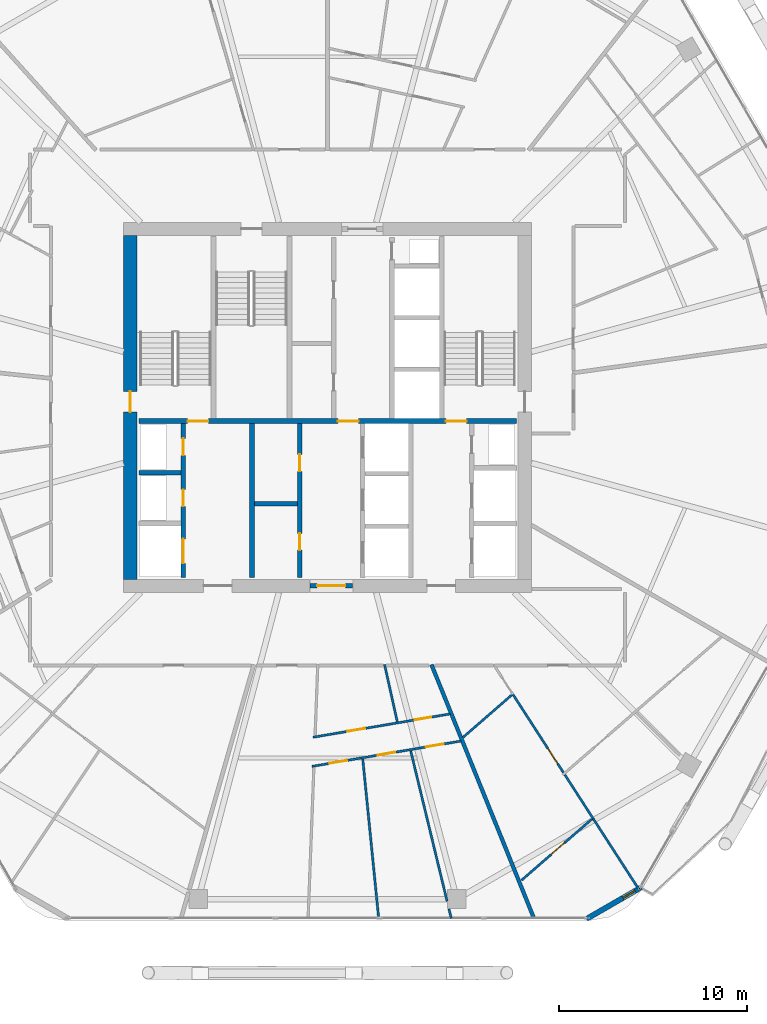
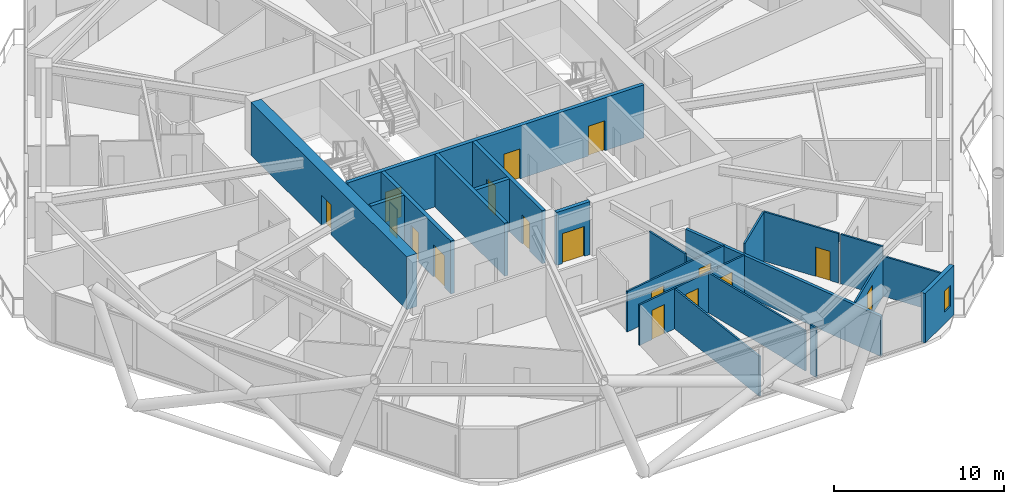
# One storey, part 21 of 28: 21 walls, 17 doors, 1 window, 18 openings.
"""IFC4 building model written with IfcOpenShell, lengths in metres."""

from ifc_helpers import new_model, si_unit, direction, frame, frame_2d, origin, place, context, subcontext, project, spatial, rectangle, extrude, material, layer, layer_set, type_object, element, fill, save


model = new_model("IFC4")

# Units and contexts
model_context = context("Model", 3, precision=1e-05, world=origin(), true_north=direction((0.0, 1.0)))
body_context = subcontext(model_context, "Body", "Model", "MODEL_VIEW")
ifc_project = project(units=[si_unit("LENGTHUNIT", "METRE"), si_unit("AREAUNIT", "SQUARE_METRE"), si_unit("VOLUMEUNIT", "CUBIC_METRE"), si_unit("PLANEANGLEUNIT", "RADIAN"), si_unit("MASSUNIT", "GRAM", prefix="KILO")], contexts=[model_context])

# Site, building, storey
site_placement = place(None, origin())
site = spatial("IfcSite", under=ifc_project, at=site_placement, CompositionType="ELEMENT")
building_placement = place(site_placement, origin())
building = spatial("IfcBuilding", under=site, at=building_placement, Name="Zuhravey Tower", CompositionType="ELEMENT")
storey_placement = place(building_placement, frame((0.0, 0.0, 154.199951171875)))
storey = spatial("IfcBuildingStorey", under=building, at=storey_placement, Name="L38", CompositionType="ELEMENT", Elevation=154.199951171875)

# Wall, opening, door
ifc_material_1 = material(Name="Concrete C60/75", Category="concrete")
ifc_layer_1 = layer(ifc_material_1, 0.699951171875)
ifc_layer_set_1 = layer_set([ifc_layer_1], Name="Concrete C60/75")
wall_type_1 = type_object("IfcWallType", Name="Core Shear Wall 700", PredefinedType="SHEAR", material=ifc_layer_set_1)
wall_1_placement = place(storey_placement, frame((25.5, 22.85009765625, 0.0), z_axis=(0.0, 0.0, 1.0), x_axis=(0.0, 1.0, 0.0)))
wall_1 = element("IfcWall", 1, at=wall_1_placement, inside=storey, type_object=wall_type_1, Name="L38 West Core Shear Wall CW70", PredefinedType="SHEAR", context=body_context, shape_type="SweptSolid", body=[
    extrude(rectangle(XDim=18.2998046875, YDim=0.699951171875, at=frame_2d((9.14990234375, 0.0))), origin(), (0.0, 0.0, 1.0), 3.800048828125),
])
opening_1_placement = place(wall_1_placement, frame((8.89990234375, 0.0, 0.0)))
opening_1 = element("IfcOpeningElement", 2, at=opening_1_placement, cuts=wall_1, Name="Opening STD1", PredefinedType="OPENING", context=body_context, shape_type="SweptSolid", body=[
    extrude(rectangle(XDim=1.10009765625, YDim=2.14990234375, at=frame_2d((0.550048828125, 1.074951171875))), frame((0.0, 0.362060546875, 0.0), z_axis=(0.0, -1.0, 0.0), x_axis=(1.0, 0.0, 0.0)), (0.0, 0.0, 1.0), 0.723876953125),
])
ifc_material_2 = material(Name="Galvanised fire-rated steel leaf", Category="steel")
door_type_1 = type_object("IfcDoorType", Name="Protected Stair Fire Door 1100x2150", OperationType="NOTDEFINED", PredefinedType="USERDEFINED", material=ifc_material_2)
door_1_placement = place(opening_1_placement, frame((1.10009765625, 0.0, 0.0), z_axis=(0.0, 0.0, 1.0), x_axis=(-1.0, 0.0, 0.0)))
door_1 = element("IfcDoor", 3, at=door_1_placement, inside=storey, type_object=door_type_1, Name="L38 Stair ST1 Door", ObjectType="EXITDOOR", OperationType="SINGLE_SWING_RIGHT", OverallHeight=2.14990234375, OverallWidth=1.10009765625, PredefinedType="USERDEFINED", context=body_context, shape_type="SweptSolid", body=[
    extrude(rectangle(XDim=1.10009765625, YDim=2.14990234375, at=frame_2d((0.550048828125, 1.074951171875))), frame((0.0, 0.02490234375, 0.0), z_axis=(0.0, -1.0, 0.0), x_axis=(1.0, 0.0, 0.0)), (0.0, 0.0, 1.0), 0.050048828125),
])
fill(opening_1, door_1)

# Wall, opening, window
ifc_material_3 = material(Name="Precast concrete C40/50", Category="concrete")
ifc_layer_2 = layer(ifc_material_3, 0.280029296875)
ifc_layer_set_2 = layer_set([ifc_layer_2], Name="Precast concrete C40/50")
wall_type_2 = type_object("IfcWallType", Name="Crown Architectural Wall 280", PredefinedType="SOLIDWALL", material=ifc_layer_set_2)
wall_2_placement = place(storey_placement, frame((52.693115234375, 6.451904296875, 0.0), z_axis=(0.0, 0.0, 1.0), x_axis=(-0.866020068361, -0.500009241111, 0.0)))
wall_2 = element("IfcWall", 4, at=wall_2_placement, inside=storey, type_object=wall_type_2, Name="L38 Rounded Corner Closure Wall EW28-02", PredefinedType="SOLIDWALL", context=body_context, shape_type="SweptSolid", body=[
    extrude(rectangle(XDim=3.365234375, YDim=0.280029296875, at=frame_2d((1.6826171875, 0.0))), origin(), (0.0, 0.0, 1.0), 3.550048828125),
])
opening_2_placement = place(wall_2_placement, frame((0.375244140625, 0.0, 0.85009765625)))
opening_2 = element("IfcOpeningElement", 5, at=opening_2_placement, cuts=wall_2, Name="Opening WN5", PredefinedType="OPENING", context=body_context, shape_type="SweptSolid", body=[
    extrude(rectangle(XDim=0.75, YDim=1.5, at=frame_2d((0.375, 0.75))), frame((0.0, 0.152099609375, 0.0), z_axis=(0.0, -1.0, 0.0), x_axis=(1.0, 0.0, 0.0)), (0.0, 0.0, 1.0), 0.303955078125),
])
ifc_material_4 = material(Name="Thermally broken aluminium and triple low-E glass", Category="aluminium")
window_type = type_object("IfcWindowType", Name="Residential Corner Casement Window 750x1500", PartitioningType="SINGLE_PANEL", PredefinedType="WINDOW", material=ifc_material_4)
window_placement = place(opening_2_placement, origin())
window = element("IfcWindow", 6, at=window_placement, inside=storey, type_object=window_type, Name="L38 Corner Casement Window WN5-02.1", OverallHeight=1.5, OverallWidth=0.75, PartitioningType="SINGLE_PANEL", PredefinedType="WINDOW", context=body_context, shape_type="SweptSolid", body=[
    extrude(rectangle(XDim=0.75, YDim=1.5, at=frame_2d((0.375, 0.75))), frame((0.0, 0.030029296875, 0.0), z_axis=(0.0, -1.0, 0.0), x_axis=(1.0, 0.0, 0.0)), (0.0, 0.0, 1.0), 0.06005859375),
])
fill(opening_2, window)

# Wall, opening, door
ifc_material_5 = material(Name="Concrete C50/60", Category="concrete")
ifc_layer_3 = layer(ifc_material_5, 0.25)
ifc_layer_set_3 = layer_set([ifc_layer_3], Name="Concrete C50/60")
wall_type_3 = type_object("IfcWallType", Name="Firefighting Shaft & Stair Wall 250", PredefinedType="SOLIDWALL", material=ifc_layer_set_3)
wall_3_placement = place(storey_placement, frame((35.06005859375, 22.5, 0.0), z_axis=(0.0, 0.0, 1.0), x_axis=(1.0, 0.0, 0.0)))
wall_3 = element("IfcWall", 7, at=wall_3_placement, inside=storey, type_object=wall_type_3, Name="L38 FW25 Shaft Wall 001", PredefinedType="SOLIDWALL", context=body_context, shape_type="SweptSolid", body=[
    extrude(rectangle(XDim=2.280029296875, YDim=0.25, at=frame_2d((1.14013671875, 0.0))), origin(), (0.0, 0.0, 1.0), 3.800048828125),
])
opening_3_placement = place(wall_3_placement, frame((0.389892578125, 0.0, 0.0)))
opening_3 = element("IfcOpeningElement", 8, at=opening_3_placement, cuts=wall_3, Name="Opening FFD1", PredefinedType="OPENING", context=body_context, shape_type="SweptSolid", body=[
    extrude(rectangle(XDim=1.5, YDim=2.14990234375, at=frame_2d((0.75, 1.074951171875))), frame((0.0, 0.136962890625, 0.0), z_axis=(0.0, -1.0, 0.0), x_axis=(1.0, 0.0, 0.0)), (0.0, 0.0, 1.0), 0.27392578125),
])
door_type_2 = type_object("IfcDoorType", Name="Firefighting Lobby Double Door 1500x2150", OperationType="DOUBLE_DOOR_SINGLE_SWING", PredefinedType="DOOR", material=ifc_material_2)
door_2_placement = place(opening_3_placement, frame((1.5, 0.0, 0.0), z_axis=(0.0, 0.0, 1.0), x_axis=(-1.0, 0.0, 0.0)))
door_2 = element("IfcDoor", 9, at=door_2_placement, inside=storey, type_object=door_type_2, Name="L38 South Lift Lobby Exit Door", OperationType="DOUBLE_DOOR_SINGLE_SWING", OverallHeight=2.14990234375, OverallWidth=1.5, PredefinedType="DOOR", context=body_context, shape_type="SweptSolid", body=[
    extrude(rectangle(XDim=1.5, YDim=2.14990234375, at=frame_2d((0.75, 1.074951171875))), frame((0.0, 0.02490234375, 0.0), z_axis=(0.0, -1.0, 0.0), x_axis=(1.0, 0.0, 0.0)), (0.0, 0.0, 1.0), 0.050048828125),
])
fill(opening_3, door_2)

# Wall, openings, doors
wall_4_placement = place(storey_placement, frame((25.949951171875, 31.27490234375, 0.0), z_axis=(0.0, 0.0, 1.0), x_axis=(1.0, 0.0, 0.0)))
wall_4 = element("IfcWall", 10, at=wall_4_placement, inside=storey, type_object=wall_type_3, Name="L38 FW25 Shaft Wall 003", PredefinedType="SOLIDWALL", context=body_context, shape_type="SweptSolid", body=[
    extrude(rectangle(XDim=20.10009765625, YDim=0.25, at=frame_2d((10.050048828125, 0.0))), origin(), (0.0, 0.0, 1.0), 3.800048828125),
])
opening_4_placement = place(wall_4_placement, frame((2.60009765625, 0.0, 0.0)))
opening_4 = element("IfcOpeningElement", 11, at=opening_4_placement, cuts=wall_4, Name="Opening STD1", PredefinedType="OPENING", context=body_context, shape_type="SweptSolid", body=[
    extrude(rectangle(XDim=1.10009765625, YDim=2.14990234375, at=frame_2d((0.550048828125, 1.074951171875))), frame((0.0, 0.136962890625, 0.0), z_axis=(0.0, -1.0, 0.0), x_axis=(1.0, 0.0, 0.0)), (0.0, 0.0, 1.0), 0.27392578125),
])
opening_5_placement = place(wall_4_placement, frame((10.60009765625, 0.0, 0.0)))
opening_5 = element("IfcOpeningElement", 12, at=opening_5_placement, cuts=wall_4, Name="Opening STD1", PredefinedType="OPENING", context=body_context, shape_type="SweptSolid", body=[
    extrude(rectangle(XDim=1.10009765625, YDim=2.14990234375, at=frame_2d((0.550048828125, 1.074951171875))), frame((0.0, 0.136962890625, 0.0), z_axis=(0.0, -1.0, 0.0), x_axis=(1.0, 0.0, 0.0)), (0.0, 0.0, 1.0), 0.27392578125),
])
opening_6_placement = place(wall_4_placement, frame((16.35009765625, 0.0, 0.0)))
opening_6 = element("IfcOpeningElement", 13, at=opening_6_placement, cuts=wall_4, Name="Opening STD1", PredefinedType="OPENING", context=body_context, shape_type="SweptSolid", body=[
    extrude(rectangle(XDim=1.10009765625, YDim=2.14990234375, at=frame_2d((0.550048828125, 1.074951171875))), frame((0.0, 0.136962890625, 0.0), z_axis=(0.0, -1.0, 0.0), x_axis=(1.0, 0.0, 0.0)), (0.0, 0.0, 1.0), 0.27392578125),
])
door_3_placement = place(opening_4_placement, origin())
door_3 = element("IfcDoor", 14, at=door_3_placement, inside=storey, type_object=door_type_1, Name="L38 FFL-W to ST1 Door", ObjectType="EXITDOOR", OperationType="SINGLE_SWING_LEFT", OverallHeight=2.14990234375, OverallWidth=1.10009765625, PredefinedType="USERDEFINED", context=body_context, shape_type="SweptSolid", body=[
    extrude(rectangle(XDim=1.10009765625, YDim=2.14990234375, at=frame_2d((0.550048828125, 1.074951171875))), frame((0.0, 0.02490234375, 0.0), z_axis=(0.0, -1.0, 0.0), x_axis=(1.0, 0.0, 0.0)), (0.0, 0.0, 1.0), 0.050048828125),
])
fill(opening_4, door_3)
door_4_placement = place(opening_5_placement, origin())
door_4 = element("IfcDoor", 15, at=door_4_placement, inside=storey, type_object=door_type_1, Name="L38 Core Lobby Link Door", ObjectType="EXITDOOR", OperationType="SINGLE_SWING_RIGHT", OverallHeight=2.14990234375, OverallWidth=1.10009765625, PredefinedType="USERDEFINED", context=body_context, shape_type="SweptSolid", body=[
    extrude(rectangle(XDim=1.10009765625, YDim=2.14990234375, at=frame_2d((0.550048828125, 1.074951171875))), frame((0.0, 0.02490234375, 0.0), z_axis=(0.0, -1.0, 0.0), x_axis=(1.0, 0.0, 0.0)), (0.0, 0.0, 1.0), 0.050048828125),
])
fill(opening_5, door_4)
door_5_placement = place(opening_6_placement, origin())
door_5 = element("IfcDoor", 16, at=door_5_placement, inside=storey, type_object=door_type_1, Name="L38 FFL-E to ST2 Door", ObjectType="EXITDOOR", OperationType="SINGLE_SWING_LEFT", OverallHeight=2.14990234375, OverallWidth=1.10009765625, PredefinedType="USERDEFINED", context=body_context, shape_type="SweptSolid", body=[
    extrude(rectangle(XDim=1.10009765625, YDim=2.14990234375, at=frame_2d((0.550048828125, 1.074951171875))), frame((0.0, 0.02490234375, 0.0), z_axis=(0.0, -1.0, 0.0), x_axis=(1.0, 0.0, 0.0)), (0.0, 0.0, 1.0), 0.050048828125),
])
fill(opening_6, door_5)

# Wall
wall_5_placement = place(storey_placement, frame((25.949951171875, 28.52490234375, 0.0), z_axis=(0.0, 0.0, 1.0), x_axis=(1.0, 0.0, 0.0)))
element("IfcWall", 17, at=wall_5_placement, inside=storey, type_object=wall_type_3, Name="L38 FW25 Shaft Wall 010", PredefinedType="SOLIDWALL", context=body_context, shape_type="SweptSolid", body=[
    extrude(rectangle(XDim=2.25, YDim=0.25, at=frame_2d((1.125, 0.0))), origin(), (0.0, 0.0, 1.0), 3.800048828125),
])

# Wall, openings, doors
wall_6_placement = place(storey_placement, frame((28.324951171875, 22.949951171875, 0.0), z_axis=(0.0, 0.0, 1.0), x_axis=(0.0, 1.0, 0.0)))
wall_6 = element("IfcWall", 18, at=wall_6_placement, inside=storey, type_object=wall_type_3, Name="L38 FW25 Shaft Wall 011", PredefinedType="SOLIDWALL", context=body_context, shape_type="SweptSolid", body=[
    extrude(rectangle(XDim=8.199951171875, YDim=0.25, at=frame_2d((4.10009765625, 0.0))), origin(), (0.0, 0.0, 1.0), 3.800048828125),
])
opening_7_placement = place(wall_6_placement, frame((0.75, 0.0, 0.0)))
opening_7 = element("IfcOpeningElement", 19, at=opening_7_placement, cuts=wall_6, Name="Opening LD2", PredefinedType="OPENING", context=body_context, shape_type="SweptSolid", body=[
    extrude(rectangle(XDim=1.300048828125, YDim=2.300048828125, at=frame_2d((0.64990234375, 1.14990234375))), frame((0.0, 0.136962890625, 0.0), z_axis=(0.0, -1.0, 0.0), x_axis=(1.0, 0.0, 0.0)), (0.0, 0.0, 1.0), 0.27392578125),
])
opening_8_placement = place(wall_6_placement, frame((3.780029296875, 0.0, 0.0)))
opening_8 = element("IfcOpeningElement", 20, at=opening_8_placement, cuts=wall_6, Name="Opening RSD1", PredefinedType="OPENING", context=body_context, shape_type="SweptSolid", body=[
    extrude(rectangle(XDim=0.89990234375, YDim=2.10009765625, at=frame_2d((0.449951171875, 1.050048828125))), frame((0.0, 0.136962890625, 0.0), z_axis=(0.0, -1.0, 0.0), x_axis=(1.0, 0.0, 0.0)), (0.0, 0.0, 1.0), 0.27392578125),
])
opening_9_placement = place(wall_6_placement, frame((6.5, 0.0, 0.0)))
opening_9 = element("IfcOpeningElement", 21, at=opening_9_placement, cuts=wall_6, Name="Opening RSD1", PredefinedType="OPENING", context=body_context, shape_type="SweptSolid", body=[
    extrude(rectangle(XDim=0.89990234375, YDim=2.10009765625, at=frame_2d((0.449951171875, 1.050048828125))), frame((0.0, 0.136962890625, 0.0), z_axis=(0.0, -1.0, 0.0), x_axis=(1.0, 0.0, 0.0)), (0.0, 0.0, 1.0), 0.27392578125),
])
ifc_material_6 = material(Name="Brushed stainless steel", Category="steel")
door_type_3 = type_object("IfcDoorType", Name="Freight & Stretcher Lift Sliding Door 1300x2300", OperationType="DOUBLE_DOOR_SLIDING", PredefinedType="DOOR", material=ifc_material_6)
door_6_placement = place(opening_7_placement, frame((1.300048828125, 0.0, 0.0), z_axis=(0.0, 0.0, 1.0), x_axis=(-1.0, 0.0, 0.0)))
door_6 = element("IfcDoor", 22, at=door_6_placement, inside=storey, type_object=door_type_3, Name="L38 Lift FF1 Landing Door", OperationType="DOUBLE_DOOR_SLIDING", OverallHeight=2.300048828125, OverallWidth=1.300048828125, PredefinedType="DOOR", context=body_context, shape_type="SweptSolid", body=[
    extrude(rectangle(XDim=1.300048828125, YDim=2.300048828125, at=frame_2d((0.64990234375, 1.14990234375))), frame((0.0, 0.02490234375, 0.0), z_axis=(0.0, -1.0, 0.0), x_axis=(1.0, 0.0, 0.0)), (0.0, 0.0, 1.0), 0.050048828125),
])
fill(opening_7, door_6)
ifc_material_7 = material(Name="Galvanised fire-rated steel access leaf", Category="steel")
door_type_4 = type_object("IfcDoorType", Name="Riser & Shaft Access Fire Door 900x2100", OperationType="NOTDEFINED", PredefinedType="DOOR", material=ifc_material_7)
door_7_placement = place(opening_8_placement, frame((0.89990234375, 0.0, 0.0), z_axis=(0.0, 0.0, 1.0), x_axis=(-1.0, 0.0, 0.0)))
door_7 = element("IfcDoor", 23, at=door_7_placement, inside=storey, type_object=door_type_4, Name="L38 Electrical Riser Door", OperationType="SINGLE_SWING_LEFT", OverallHeight=2.10009765625, OverallWidth=0.89990234375, PredefinedType="DOOR", context=body_context, shape_type="SweptSolid", body=[
    extrude(rectangle(XDim=0.89990234375, YDim=2.10009765625, at=frame_2d((0.449951171875, 1.050048828125))), frame((0.0, 0.02490234375, 0.0), z_axis=(0.0, -1.0, 0.0), x_axis=(1.0, 0.0, 0.0)), (0.0, 0.0, 1.0), 0.050048828125),
])
fill(opening_8, door_7)
door_8_placement = place(opening_9_placement, frame((0.89990234375, 0.0, 0.0), z_axis=(0.0, 0.0, 1.0), x_axis=(-1.0, 0.0, 0.0)))
door_8 = element("IfcDoor", 24, at=door_8_placement, inside=storey, type_object=door_type_4, Name="L38 Smoke Shaft Access Door", OperationType="SINGLE_SWING_RIGHT", OverallHeight=2.10009765625, OverallWidth=0.89990234375, PredefinedType="DOOR", context=body_context, shape_type="SweptSolid", body=[
    extrude(rectangle(XDim=0.89990234375, YDim=2.10009765625, at=frame_2d((0.449951171875, 1.050048828125))), frame((0.0, 0.02490234375, 0.0), z_axis=(0.0, -1.0, 0.0), x_axis=(1.0, 0.0, 0.0)), (0.0, 0.0, 1.0), 0.050048828125),
])
fill(opening_9, door_8)

# Walls
wall_7_placement = place(storey_placement, frame((31.97509765625, 22.949951171875, 0.0), z_axis=(0.0, 0.0, 1.0), x_axis=(0.0, 1.0, 0.0)))
element("IfcWall", 25, at=wall_7_placement, inside=storey, type_object=wall_type_3, Name="L38 FW25 Shaft Wall 012", PredefinedType="SOLIDWALL", context=body_context, shape_type="SweptSolid", body=[
    extrude(rectangle(XDim=8.199951171875, YDim=0.25, at=frame_2d((4.10009765625, 0.0))), origin(), (0.0, 0.0, 1.0), 3.800048828125),
])
wall_8_placement = place(storey_placement, frame((32.10009765625, 26.875, 0.0), z_axis=(0.0, 0.0, 1.0), x_axis=(1.0, 0.0, 0.0)))
element("IfcWall", 26, at=wall_8_placement, inside=storey, type_object=wall_type_3, Name="L38 FW25 Shaft Wall 013", PredefinedType="SOLIDWALL", context=body_context, shape_type="SweptSolid", body=[
    extrude(rectangle(XDim=2.2998046875, YDim=0.25, at=frame_2d((1.14990234375, 0.0))), origin(), (0.0, 0.0, 1.0), 3.800048828125),
])

# Wall, openings, doors
wall_9_placement = place(storey_placement, frame((34.52490234375, 22.949951171875, 0.0), z_axis=(0.0, 0.0, 1.0), x_axis=(0.0, 1.0, 0.0)))
wall_9 = element("IfcWall", 27, at=wall_9_placement, inside=storey, type_object=wall_type_3, Name="L38 FW25 Shaft Wall 014", PredefinedType="SOLIDWALL", context=body_context, shape_type="SweptSolid", body=[
    extrude(rectangle(XDim=8.199951171875, YDim=0.25, at=frame_2d((4.10009765625, 0.0))), origin(), (0.0, 0.0, 1.0), 3.800048828125),
])
opening_10_placement = place(wall_9_placement, frame((1.449951171875, 0.0, 0.0)))
opening_10 = element("IfcOpeningElement", 28, at=opening_10_placement, cuts=wall_9, Name="Opening RSD1", PredefinedType="OPENING", context=body_context, shape_type="SweptSolid", body=[
    extrude(rectangle(XDim=0.89990234375, YDim=2.10009765625, at=frame_2d((0.449951171875, 1.050048828125))), frame((0.0, 0.136962890625, 0.0), z_axis=(0.0, -1.0, 0.0), x_axis=(1.0, 0.0, 0.0)), (0.0, 0.0, 1.0), 0.27392578125),
])
opening_11_placement = place(wall_9_placement, frame((5.64990234375, 0.0, 0.0)))
opening_11 = element("IfcOpeningElement", 29, at=opening_11_placement, cuts=wall_9, Name="Opening RSD1", PredefinedType="OPENING", context=body_context, shape_type="SweptSolid", body=[
    extrude(rectangle(XDim=0.89990234375, YDim=2.10009765625, at=frame_2d((0.449951171875, 1.050048828125))), frame((0.0, 0.136962890625, 0.0), z_axis=(0.0, -1.0, 0.0), x_axis=(1.0, 0.0, 0.0)), (0.0, 0.0, 1.0), 0.27392578125),
])
door_9_placement = place(opening_10_placement, origin())
door_9 = element("IfcDoor", 30, at=door_9_placement, inside=storey, type_object=door_type_4, Name="L38 Housekeeping and Linen Room Door", OperationType="SINGLE_SWING_LEFT", OverallHeight=2.10009765625, OverallWidth=0.89990234375, PredefinedType="DOOR", context=body_context, shape_type="SweptSolid", body=[
    extrude(rectangle(XDim=0.89990234375, YDim=2.10009765625, at=frame_2d((0.449951171875, 1.050048828125))), frame((0.0, 0.02490234375, 0.0), z_axis=(0.0, -1.0, 0.0), x_axis=(1.0, 0.0, 0.0)), (0.0, 0.0, 1.0), 0.050048828125),
])
fill(opening_10, door_9)
door_10_placement = place(opening_11_placement, origin())
door_10 = element("IfcDoor", 31, at=door_10_placement, inside=storey, type_object=door_type_4, Name="L38 Telecoms Switch Closet Door", OperationType="SINGLE_SWING_RIGHT", OverallHeight=2.10009765625, OverallWidth=0.89990234375, PredefinedType="DOOR", context=body_context, shape_type="SweptSolid", body=[
    extrude(rectangle(XDim=0.89990234375, YDim=2.10009765625, at=frame_2d((0.449951171875, 1.050048828125))), frame((0.0, 0.02490234375, 0.0), z_axis=(0.0, -1.0, 0.0), x_axis=(1.0, 0.0, 0.0)), (0.0, 0.0, 1.0), 0.050048828125),
])
fill(opening_11, door_10)

# Wall
ifc_material_8 = material(Name="Gypsum double-stud party assembly")
ifc_layer_4 = layer(ifc_material_8, 0.199951171875)
ifc_layer_set_4 = layer_set([ifc_layer_4], Name="Gypsum double-stud party assembly")
wall_type_4 = type_object("IfcWallType", Name="Inter-Tenancy Party Wall 200", PredefinedType="PARTITIONING", material=ifc_layer_set_4)
wall_10_placement = place(storey_placement, frame((41.531005859375, 18.31005859375, 0.0), z_axis=(0.0, 0.0, 1.0), x_axis=(0.374610610646, -0.92718223149, 0.0)))
element("IfcWall", 32, at=wall_10_placement, inside=storey, type_object=wall_type_4, Name="L38 IW20 Partition 105", PredefinedType="PARTITIONING", context=body_context, shape_type="SweptSolid", body=[
    extrude(rectangle(XDim=14.552978515625, YDim=0.199951171875, at=frame_2d((7.2763671875, 0.0))), origin(), (0.0, 0.0, 1.0), 2.8701171875),
])

# Wall, openings, doors
ifc_material_9 = material(Name="Gypsum metal-stud partition")
ifc_layer_5 = layer(ifc_material_9, 0.1201171875)
ifc_layer_set_5 = layer_set([ifc_layer_5], Name="Gypsum metal-stud partition")
wall_type_5 = type_object("IfcWallType", Name="Unit Internal Partition 120", PredefinedType="PARTITIONING", material=ifc_layer_set_5)
wall_11_placement = place(storey_placement, frame((35.231689453125, 14.444091796875, 0.0), z_axis=(0.0, 0.0, 1.0), x_axis=(0.985819661596, 0.167808208412, 0.0)))
wall_11 = element("IfcWall", 33, at=wall_11_placement, inside=storey, type_object=wall_type_5, Name="L38 IW12 Partition 046", PredefinedType="PARTITIONING", context=body_context, shape_type="SweptSolid", body=[
    extrude(rectangle(XDim=7.40673828125, YDim=0.1201171875, at=frame_2d((3.703369140625, 0.0))), origin(), (0.0, 0.0, 1.0), 2.900146484375),
])
opening_12_placement = place(wall_11_placement, frame((1.85400390625, 0.0, 0.0)))
opening_12 = element("IfcOpeningElement", 34, at=opening_12_placement, cuts=wall_11, Name="Opening IND1", PredefinedType="OPENING", context=body_context, shape_type="SweptSolid", body=[
    extrude(rectangle(XDim=0.949951171875, YDim=2.10009765625, at=frame_2d((0.47509765625, 1.050048828125))), frame((0.0, 0.072021484375, 0.0), z_axis=(0.0, -1.0, 0.0), x_axis=(1.0, 0.0, 0.0)), (0.0, 0.0, 1.0), 0.14404296875),
])
opening_13_placement = place(wall_11_placement, frame((5.480224609375, 0.0, 0.0)))
opening_13 = element("IfcOpeningElement", 35, at=opening_13_placement, cuts=wall_11, Name="Opening WCD1", PredefinedType="OPENING", context=body_context, shape_type="SweptSolid", body=[
    extrude(rectangle(XDim=0.89990234375, YDim=2.10009765625, at=frame_2d((0.449951171875, 1.050048828125))), frame((0.0, 0.072021484375, 0.0), z_axis=(0.0, -1.0, 0.0), x_axis=(1.0, 0.0, 0.0)), (0.0, 0.0, 1.0), 0.14404296875),
])
ifc_material_10 = material(Name="Moisture-resistant timber leaf", Category="wood")
door_type_5 = type_object("IfcDoorType", Name="Bathroom & WC Internal Door 900x2100", OperationType="NOTDEFINED", PredefinedType="DOOR", material=ifc_material_10)
door_11_placement = place(opening_13_placement, origin())
door_11 = element("IfcDoor", 36, at=door_11_placement, inside=storey, type_object=door_type_5, Name="Apartment L38-07 Bathroom Door", OperationType="SINGLE_SWING_LEFT", OverallHeight=2.10009765625, OverallWidth=0.89990234375, PredefinedType="DOOR", context=body_context, shape_type="SweptSolid", body=[
    extrude(rectangle(XDim=0.89990234375, YDim=2.10009765625, at=frame_2d((0.449951171875, 1.050048828125))), frame((0.0, 0.02490234375, 0.0), z_axis=(0.0, -1.0, 0.0), x_axis=(1.0, 0.0, 0.0)), (0.0, 0.0, 1.0), 0.050048828125),
])
fill(opening_13, door_11)
ifc_material_11 = material(Name="Painted engineered timber leaf", Category="wood")
door_type_6 = type_object("IfcDoorType", Name="Internal Room & Bedroom Door 950x2100", OperationType="NOTDEFINED", PredefinedType="DOOR", material=ifc_material_11)
door_12_placement = place(opening_12_placement, origin())
door_12 = element("IfcDoor", 37, at=door_12_placement, inside=storey, type_object=door_type_6, Name="Apartment L38-07 Kitchen Door", OperationType="SINGLE_SWING_RIGHT", OverallHeight=2.10009765625, OverallWidth=0.949951171875, PredefinedType="DOOR", context=body_context, shape_type="SweptSolid", body=[
    extrude(rectangle(XDim=0.949951171875, YDim=2.10009765625, at=frame_2d((0.47509765625, 1.050048828125))), frame((0.0, 0.02490234375, 0.0), z_axis=(0.0, -1.0, 0.0), x_axis=(1.0, 0.0, 0.0)), (0.0, 0.0, 1.0), 0.050048828125),
])
fill(opening_12, door_12)

wall_12_placement = place(storey_placement, frame((35.172607421875, 12.89208984375, 0.0), z_axis=(0.0, 0.0, 1.0), x_axis=(0.985819567417, 0.167808761684, 0.0)))
wall_12 = element("IfcWall", 38, at=wall_12_placement, inside=storey, type_object=wall_type_5, Name="L38 IW12 Partition 047", PredefinedType="PARTITIONING", context=body_context, shape_type="SweptSolid", body=[
    extrude(rectangle(XDim=8.0439453125, YDim=0.1201171875, at=frame_2d((4.02197265625, 0.0))), origin(), (0.0, 0.0, 1.0), 2.900146484375),
])
opening_14_placement = place(wall_12_placement, frame((0.94091796875, 0.0, 0.0)))
opening_14 = element("IfcOpeningElement", 39, at=opening_14_placement, cuts=wall_12, Name="Opening IND1", PredefinedType="OPENING", context=body_context, shape_type="SweptSolid", body=[
    extrude(rectangle(XDim=0.949951171875, YDim=2.10009765625, at=frame_2d((0.47509765625, 1.050048828125))), frame((0.0, 0.072021484375, 0.0), z_axis=(0.0, -1.0, 0.0), x_axis=(1.0, 0.0, 0.0)), (0.0, 0.0, 1.0), 0.14404296875),
])
opening_15_placement = place(wall_12_placement, frame((3.547119140625, 0.0, 0.0)))
opening_15 = element("IfcOpeningElement", 40, at=opening_15_placement, cuts=wall_12, Name="Opening IND1", PredefinedType="OPENING", context=body_context, shape_type="SweptSolid", body=[
    extrude(rectangle(XDim=0.949951171875, YDim=2.10009765625, at=frame_2d((0.47509765625, 1.050048828125))), frame((0.0, 0.072021484375, 0.0), z_axis=(0.0, -1.0, 0.0), x_axis=(1.0, 0.0, 0.0)), (0.0, 0.0, 1.0), 0.14404296875),
])
opening_16_placement = place(wall_12_placement, frame((6.153076171875, 0.0, 0.0)))
opening_16 = element("IfcOpeningElement", 41, at=opening_16_placement, cuts=wall_12, Name="Opening IND1", PredefinedType="OPENING", context=body_context, shape_type="SweptSolid", body=[
    extrude(rectangle(XDim=0.949951171875, YDim=2.10009765625, at=frame_2d((0.47509765625, 1.050048828125))), frame((0.0, 0.072021484375, 0.0), z_axis=(0.0, -1.0, 0.0), x_axis=(1.0, 0.0, 0.0)), (0.0, 0.0, 1.0), 0.14404296875),
])
door_13_placement = place(opening_14_placement, frame((0.949951171875, 0.0, 0.0), z_axis=(0.0, 0.0, 1.0), x_axis=(-1.0, 0.0, 0.0)))
door_13 = element("IfcDoor", 42, at=door_13_placement, inside=storey, type_object=door_type_6, Name="Apartment L38-07 Bedroom 1 Door", OperationType="SINGLE_SWING_RIGHT", OverallHeight=2.10009765625, OverallWidth=0.949951171875, PredefinedType="DOOR", context=body_context, shape_type="SweptSolid", body=[
    extrude(rectangle(XDim=0.949951171875, YDim=2.10009765625, at=frame_2d((0.47509765625, 1.050048828125))), frame((0.0, 0.02490234375, 0.0), z_axis=(0.0, -1.0, 0.0), x_axis=(1.0, 0.0, 0.0)), (0.0, 0.0, 1.0), 0.050048828125),
])
fill(opening_14, door_13)
door_14_placement = place(opening_15_placement, frame((0.949951171875, 0.0, 0.0), z_axis=(0.0, 0.0, 1.0), x_axis=(-1.0, 0.0, 0.0)))
door_14 = element("IfcDoor", 43, at=door_14_placement, inside=storey, type_object=door_type_6, Name="Apartment L38-07 Bedroom 2 Door", OperationType="SINGLE_SWING_LEFT", OverallHeight=2.10009765625, OverallWidth=0.949951171875, PredefinedType="DOOR", context=body_context, shape_type="SweptSolid", body=[
    extrude(rectangle(XDim=0.949951171875, YDim=2.10009765625, at=frame_2d((0.47509765625, 1.050048828125))), frame((0.0, 0.02490234375, 0.0), z_axis=(0.0, -1.0, 0.0), x_axis=(1.0, 0.0, 0.0)), (0.0, 0.0, 1.0), 0.050048828125),
])
fill(opening_15, door_14)
door_15_placement = place(opening_16_placement, frame((0.949951171875, 0.0, 0.0), z_axis=(0.0, 0.0, 1.0), x_axis=(-1.0, 0.0, 0.0)))
door_15 = element("IfcDoor", 44, at=door_15_placement, inside=storey, type_object=door_type_6, Name="Apartment L38-07 Bedroom 3 Door", OperationType="SINGLE_SWING_RIGHT", OverallHeight=2.10009765625, OverallWidth=0.949951171875, PredefinedType="DOOR", context=body_context, shape_type="SweptSolid", body=[
    extrude(rectangle(XDim=0.949951171875, YDim=2.10009765625, at=frame_2d((0.47509765625, 1.050048828125))), frame((0.0, 0.02490234375, 0.0), z_axis=(0.0, -1.0, 0.0), x_axis=(1.0, 0.0, 0.0)), (0.0, 0.0, 1.0), 0.050048828125),
])
fill(opening_16, door_15)

# Wall, opening, door
wall_13_placement = place(storey_placement, frame((45.871337890625, 16.7177734375, 0.0), z_axis=(0.0, 0.0, 1.0), x_axis=(0.54259218167, -0.83999626451, 0.0)))
wall_13 = element("IfcWall", 45, at=wall_13_placement, inside=storey, type_object=wall_type_5, Name="L38 IW12 Partition 051", PredefinedType="PARTITIONING", context=body_context, shape_type="SweptSolid", body=[
    extrude(rectangle(XDim=4.94677734375, YDim=0.1201171875, at=frame_2d((2.473388671875, 0.0))), origin(), (0.0, 0.0, 1.0), 3.550048828125),
])
opening_17_placement = place(wall_13_placement, frame((3.431640625, 0.0, 0.0)))
opening_17 = element("IfcOpeningElement", 46, at=opening_17_placement, cuts=wall_13, Name="Opening IND1", PredefinedType="OPENING", context=body_context, shape_type="SweptSolid", body=[
    extrude(rectangle(XDim=0.949951171875, YDim=2.10009765625, at=frame_2d((0.47509765625, 1.050048828125))), frame((0.0, 0.072021484375, 0.0), z_axis=(0.0, -1.0, 0.0), x_axis=(1.0, 0.0, 0.0)), (0.0, 0.0, 1.0), 0.14404296875),
])
door_16_placement = place(opening_17_placement, frame((0.949951171875, 0.0, 0.0), z_axis=(0.0, 0.0, 1.0), x_axis=(-1.0, 0.0, 0.0)))
door_16 = element("IfcDoor", 47, at=door_16_placement, inside=storey, type_object=door_type_6, Name="Apartment L38-08 Home Office Door", OperationType="SINGLE_SWING_LEFT", OverallHeight=2.10009765625, OverallWidth=0.949951171875, PredefinedType="DOOR", context=body_context, shape_type="SweptSolid", body=[
    extrude(rectangle(XDim=0.949951171875, YDim=2.10009765625, at=frame_2d((0.47509765625, 1.050048828125))), frame((0.0, 0.02490234375, 0.0), z_axis=(0.0, -1.0, 0.0), x_axis=(1.0, 0.0, 0.0)), (0.0, 0.0, 1.0), 0.050048828125),
])
fill(opening_17, door_16)

# Wall
wall_14_placement = place(storey_placement, frame((48.630126953125, 12.447021484375, 0.0), z_axis=(0.0, 0.0, 1.0), x_axis=(0.5425590103, -0.840017690494, 0.0)))
element("IfcWall", 48, at=wall_14_placement, inside=storey, type_object=wall_type_5, Name="L38 IW12 Partition 052", PredefinedType="PARTITIONING", context=body_context, shape_type="SweptSolid", body=[
    extrude(rectangle(XDim=2.779052734375, YDim=0.1201171875, at=frame_2d((1.3896484375, 0.0))), origin(), (0.0, 0.0, 1.0), 3.550048828125),
])

# Wall, opening, door
wall_15_placement = place(storey_placement, frame((46.319091796875, 6.825927734375, 0.0), z_axis=(0.0, 0.0, 1.0), x_axis=(0.754719650471, 0.656047444315, 0.0)))
wall_15 = element("IfcWall", 49, at=wall_15_placement, inside=storey, type_object=wall_type_5, Name="L38 IW12 Partition 053", PredefinedType="PARTITIONING", context=body_context, shape_type="SweptSolid", body=[
    extrude(rectangle(XDim=4.97314453125, YDim=0.1201171875, at=frame_2d((2.486572265625, 0.0))), origin(), (0.0, 0.0, 1.0), 2.8701171875),
])
opening_18_placement = place(wall_15_placement, frame((2.096435546875, 0.0, 0.0)))
opening_18 = element("IfcOpeningElement", 50, at=opening_18_placement, cuts=wall_15, Name="Opening IND1", PredefinedType="OPENING", context=body_context, shape_type="SweptSolid", body=[
    extrude(rectangle(XDim=0.949951171875, YDim=2.10009765625, at=frame_2d((0.47509765625, 1.050048828125))), frame((0.0, 0.072021484375, 0.0), z_axis=(0.0, -1.0, 0.0), x_axis=(1.0, 0.0, 0.0)), (0.0, 0.0, 1.0), 0.14404296875),
])
door_17_placement = place(opening_18_placement, frame((0.949951171875, 0.0, 0.0), z_axis=(0.0, 0.0, 1.0), x_axis=(-1.0, 0.0, 0.0)))
door_17 = element("IfcDoor", 51, at=door_17_placement, inside=storey, type_object=door_type_6, Name="Apartment L38-08 Bedroom 1 Door", OperationType="SINGLE_SWING_RIGHT", OverallHeight=2.10009765625, OverallWidth=0.949951171875, PredefinedType="DOOR", context=body_context, shape_type="SweptSolid", body=[
    extrude(rectangle(XDim=0.949951171875, YDim=2.10009765625, at=frame_2d((0.47509765625, 1.050048828125))), frame((0.0, 0.02490234375, 0.0), z_axis=(0.0, -1.0, 0.0), x_axis=(1.0, 0.0, 0.0)), (0.0, 0.0, 1.0), 0.050048828125),
])
fill(opening_18, door_17)

# Walls
wall_16_placement = place(storey_placement, frame((39.033203125, 18.320068359375, 0.0), z_axis=(0.0, 0.0, 1.0), x_axis=(0.216516027093, -0.976279063594, 0.0)))
element("IfcWall", 52, at=wall_16_placement, inside=storey, type_object=wall_type_5, Name="L38 IW12 Partition 099", PredefinedType="PARTITIONING", context=body_context, shape_type="SweptSolid", body=[
    extrude(rectangle(XDim=3.118896484375, YDim=0.1201171875, at=frame_2d((1.5595703125, 0.0))), origin(), (0.0, 0.0, 1.0), 3.550048828125),
])
wall_17_placement = place(storey_placement, frame((37.87255859375, 13.28271484375, 0.0), z_axis=(0.0, 0.0, 1.0), x_axis=(0.099568986872, -0.995030661263, 0.0)))
element("IfcWall", 53, at=wall_17_placement, inside=storey, type_object=wall_type_5, Name="L38 IW12 Partition 100", PredefinedType="PARTITIONING", context=body_context, shape_type="SweptSolid", body=[
    extrude(rectangle(XDim=8.51806640625, YDim=0.1201171875, at=frame_2d((4.259033203125, 0.0))), origin(), (0.0, 0.0, 1.0), 2.8701171875),
])
wall_18_placement = place(storey_placement, frame((40.42529296875, 13.71728515625, 0.0), z_axis=(0.0, 0.0, 1.0), x_axis=(0.235264736648, -0.971931326633, 0.0)))
element("IfcWall", 54, at=wall_18_placement, inside=storey, type_object=wall_type_5, Name="L38 IW12 Partition 101", PredefinedType="PARTITIONING", context=body_context, shape_type="SweptSolid", body=[
    extrude(rectangle(XDim=8.232177734375, YDim=0.1201171875, at=frame_2d((4.1162109375, 0.0))), origin(), (0.0, 0.0, 1.0), 2.8701171875),
])
wall_19_placement = place(storey_placement, frame((42.4609375, 5.306884765625, 0.0), z_axis=(0.0, 0.0, 1.0), x_axis=(0.23538270084, -0.971902764759, 0.0)))
element("IfcWall", 55, at=wall_19_placement, inside=storey, type_object=wall_type_5, Name="L38 IW12 Partition 102", PredefinedType="PARTITIONING", context=body_context, shape_type="SweptSolid", body=[
    extrude(rectangle(XDim=0.514404296875, YDim=0.1201171875, at=frame_2d((0.25732421875, 0.0))), origin(), (0.0, 0.0, 1.0), 3.550048828125),
])
wall_20_placement = place(storey_placement, frame((50.137939453125, 10.112548828125, 0.0), z_axis=(0.0, 0.0, 1.0), x_axis=(0.54259903081, -0.839991840296, 0.0)))
element("IfcWall", 56, at=wall_20_placement, inside=storey, type_object=wall_type_5, Name="L38 IW12 Partition 108", PredefinedType="PARTITIONING", context=body_context, shape_type="SweptSolid", body=[
    extrude(rectangle(XDim=4.486328125, YDim=0.1201171875, at=frame_2d((2.2431640625, 0.0))), origin(), (0.0, 0.0, 1.0), 2.8701171875),
])
wall_21_placement = place(storey_placement, frame((43.211669921875, 14.438720703125, 0.0), z_axis=(0.0, 0.0, 1.0), x_axis=(0.754711017703, 0.656057375355, 0.0)))
element("IfcWall", 57, at=wall_21_placement, inside=storey, type_object=wall_type_5, Name="L38 IW12 Partition 109", PredefinedType="PARTITIONING", context=body_context, shape_type="SweptSolid", body=[
    extrude(rectangle(XDim=3.4375, YDim=0.1201171875, at=frame_2d((1.71875, 0.0))), origin(), (0.0, 0.0, 1.0), 3.550048828125),
])

save(model, "model.ifc")
